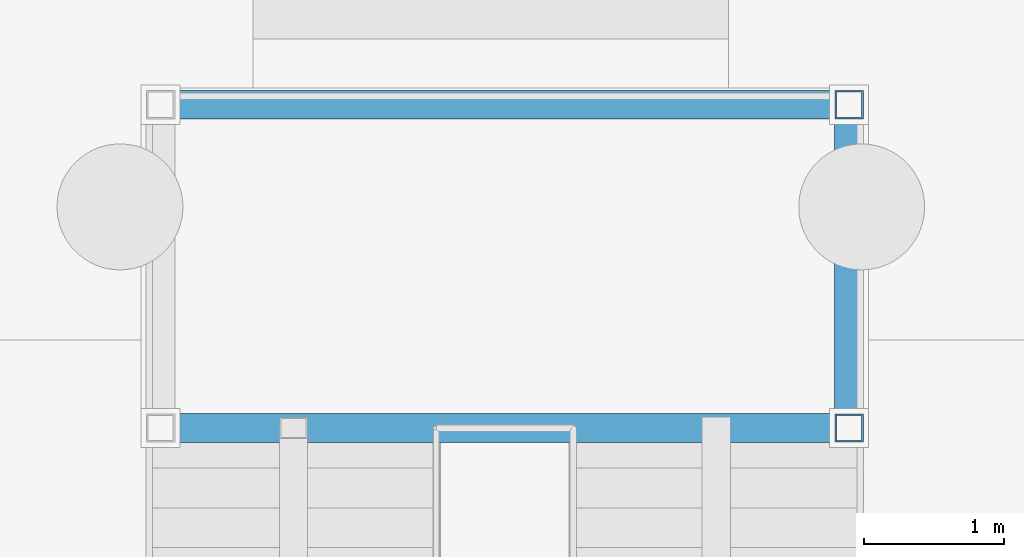
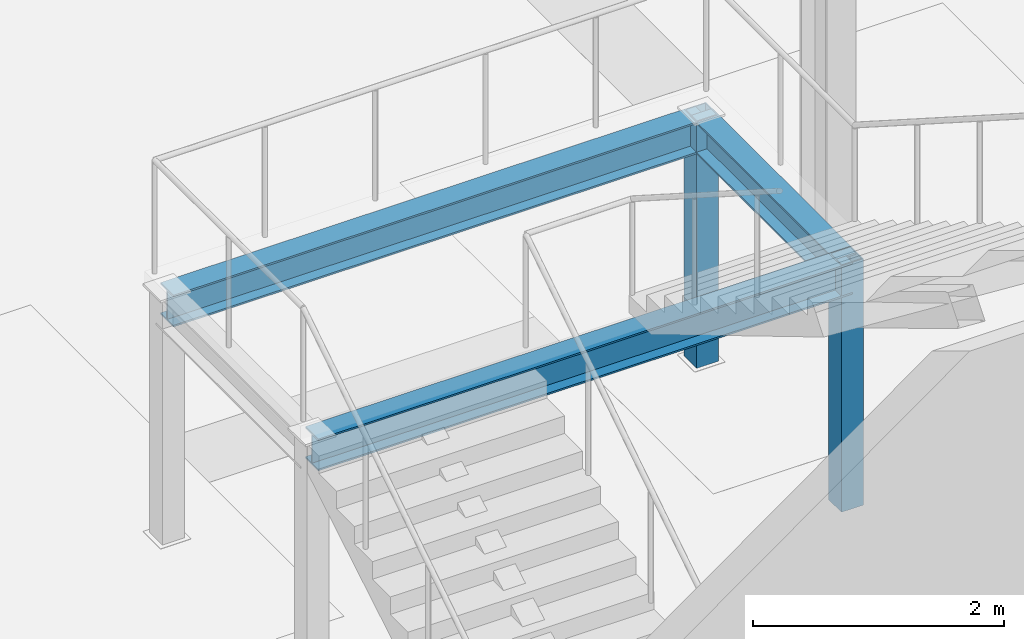
# One storey, part 56 of 119: 3 beams, 2 members.
"""IFC4 building model written with IfcOpenShell, lengths in metres."""

from ifc_helpers import new_model, si_unit, derived_unit, direction, frame, origin, origin_2d, place, context, subcontext, project, spatial, hollow_rectangle, i_section, extrude, material, material_profile, profile_set, type_object, element, save


model = new_model("IFC4")

# Units and contexts
model_context = context("Model", 3, precision=1e-05, world=origin(), true_north=direction((0.0, 1.0)))
body_context = subcontext(model_context, "Body", "Model", "MODEL_VIEW")
ifc_project = project(units=[si_unit("LENGTHUNIT", "METRE"), si_unit("AREAUNIT", "SQUARE_METRE"), si_unit("VOLUMEUNIT", "CUBIC_METRE"), si_unit("PLANEANGLEUNIT", "RADIAN"), si_unit("MASSUNIT", "GRAM", prefix="KILO"), derived_unit("THERMALTRANSMITTANCEUNIT", [(si_unit("MASSUNIT", "GRAM", prefix="KILO"), 1), (si_unit("TIMEUNIT", "SECOND"), -3), (si_unit("THERMODYNAMICTEMPERATUREUNIT", "KELVIN"), -1)])], contexts=[model_context])

# Site, building, storey
site_placement = place(None, origin())
site = spatial("IfcSite", under=ifc_project, at=site_placement, CompositionType="ELEMENT")
building_placement = place(site_placement, origin())
building = spatial("IfcBuilding", under=site, at=building_placement, Name="Makaiwela Harbour Ferry Terminal", CompositionType="ELEMENT")
storey_placement = place(building_placement, origin())
storey = spatial("IfcBuildingStorey", under=building, at=storey_placement, Name="L00", CompositionType="ELEMENT", Elevation=0.0)

# Beams
ifc_material_1 = material(Name="Steel ASTM A992 Grade 50", Category="steel")
ifc_material_profile_1 = material_profile(ifc_material_1, i_section(OverallWidth=0.205078125, OverallDepth=0.31005859375, WebThickness=0.009521484375, FlangeThickness=0.016357421875, at=origin_2d()), Name="W12X50")
ifc_profile_set_1 = profile_set([ifc_material_profile_1], Name="Steel ASTM A992 Grade 50")
beam_type = type_object("IfcBeamType", Name="STR-LNT-W12X50", PredefinedType="LINTEL", material=ifc_profile_set_1)
for number, where, z_axis, x_axis, name in (
    (1, (73.239990234375, 64.469970703125, 2.2451171875), (1.0, 0.0, 0.0), (0.0, 1.0, 0.0), "Stair Landing Beam ST-08-L00-1"),
    (2, (73.239990234375, 66.780029296875, 2.2451171875), (1.0, 0.0, 0.0), (0.0, 1.0, 0.0), "Stair Landing Beam ST-08-L00-2"),
):
    element("IfcBeam", number, at=place(storey_placement, frame(where, z_axis=z_axis, x_axis=x_axis)), inside=storey, type_object=beam_type, Name=name, PredefinedType="LINTEL", context=body_context, shape_type="SweptSolid", body=[
        extrude(i_section(OverallWidth=0.205078125, OverallDepth=0.31005859375, WebThickness=0.009521484375, FlangeThickness=0.016357421875, at=origin_2d()), origin(), (0.0, 0.0, 1.0), 4.919921875),
    ])
beam_placement = place(storey_placement, frame((78.159912109375, 64.469970703125, 2.2451171875), z_axis=(0.0, 1.0, 0.0), x_axis=(-1.0, 0.0, 0.0)))
element("IfcBeam", 3, at=beam_placement, inside=storey, type_object=beam_type, Name="Stair Landing Side Beam ST-08-L00-R", PredefinedType="LINTEL", context=body_context, shape_type="SweptSolid", body=[
    extrude(i_section(OverallWidth=0.205078125, OverallDepth=0.31005859375, WebThickness=0.009521484375, FlangeThickness=0.016357421875, at=origin_2d()), origin(), (0.0, 0.0, 1.0), 2.31005859375),
])

# Members
ifc_material_2 = material(Name="Steel ASTM A500 Grade C", Category="steel")
ifc_material_profile_2 = material_profile(ifc_material_2, hollow_rectangle(XDim=0.202880859375, YDim=0.202880859375, WallThickness=0.01171875, at=origin_2d()), Name="HSS8X8X1/2")
ifc_profile_set_2 = profile_set([ifc_material_profile_2], Name="Steel ASTM A500 Grade C")
member_type = type_object("IfcMemberType", Name="STR-PST-HSS8", PredefinedType="POST", material=ifc_profile_set_2)
for number, where, z_axis, x_axis, name in (
    (4, (78.159912109375, 64.469970703125, 0.0), (0.0, 0.0, 1.0), (1.0, 0.0, 0.0), "Stair Landing Post ST-08-L00-P2"),
    (5, (78.159912109375, 66.780029296875, 0.0), (0.0, 0.0, 1.0), (1.0, 0.0, 0.0), "Stair Landing Post ST-08-L00-P4"),
):
    element("IfcMember", number, at=place(storey_placement, frame(where, z_axis=z_axis, x_axis=x_axis)), inside=storey, type_object=member_type, Name=name, PredefinedType="POST", context=body_context, shape_type="SweptSolid", body=[
        extrude(hollow_rectangle(XDim=0.202880859375, YDim=0.202880859375, WallThickness=0.01171875, at=origin_2d()), origin(), (0.0, 0.0, 1.0), 2.39990234375),
    ])

save(model, "model.ifc")
